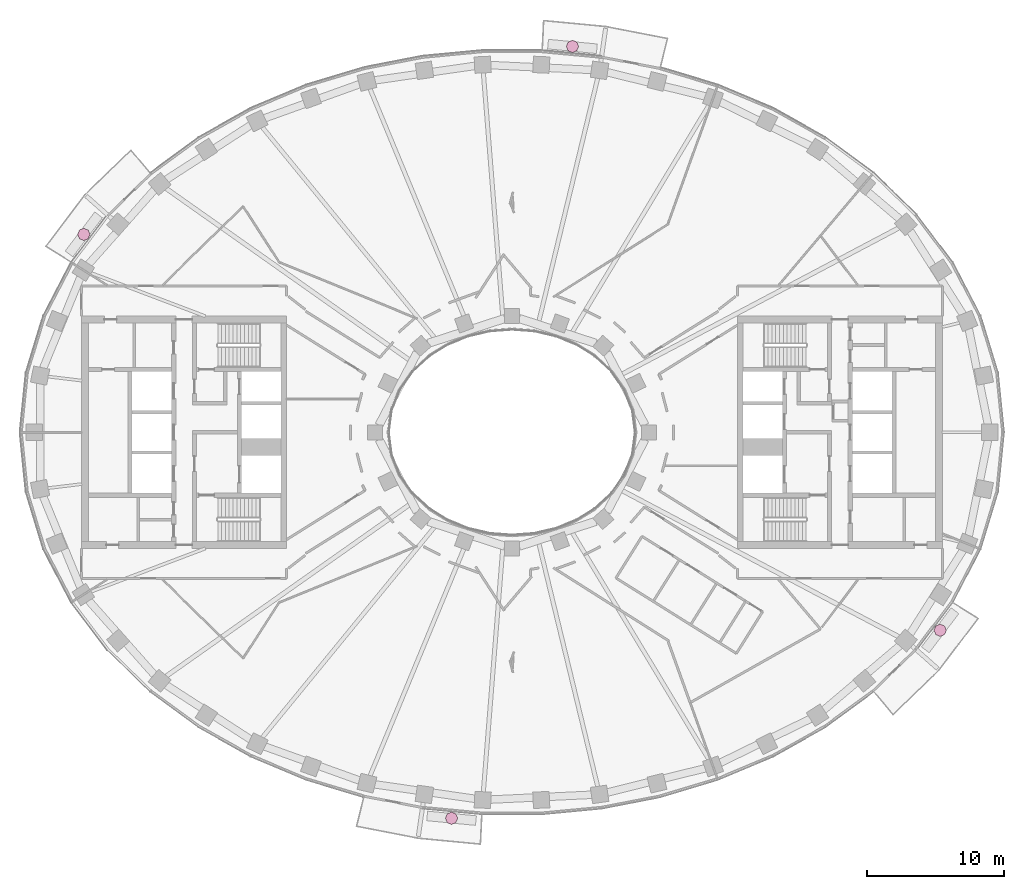
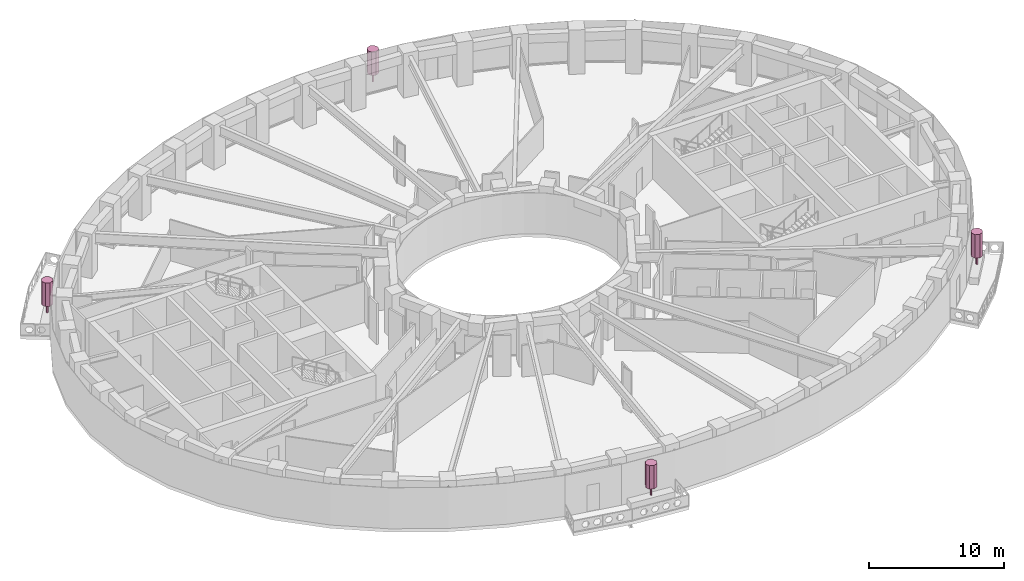
# One storey, part 16 of 16: 4 furnishings.
"""IFC4 building model written with IfcOpenShell, lengths in metres."""

import ifcopenshell
import ifcopenshell.guid

model = None  # the IFC model being written
_history = None  # IfcOwnerHistory: only IFC2X3 demands one
_inside = {}  # id of a spatial element -> (the spatial element, [elements in it])
_under = {}  # id of a project, library or spatial element -> (it, [spatial elements below it])
_declared = {}  # id of a project -> (the project, [libraries it declares])
_typed = {}  # id of a type object -> (the type object, [elements of that type])
_made_of = {}  # id of a material, layer set ... -> (it, [elements and type objects made of it])


def new_model(schema):
    """Start an empty IFC model of exactly this schema.

    Asked for "IFC4X3", IfcOpenShell would pick the latest addendum, in which some entities
    have other attributes; the version numbers below select the first issue.
    IFC2X3 requires an IfcOwnerHistory on every rooted entity: one is made here for all.
    """
    global model, _history
    if schema == "IFC4X3":
        model = ifcopenshell.file(schema_version=(4, 3, 0, 0))
    else:
        model = ifcopenshell.file(schema=schema)
    _inside.clear()
    _under.clear()
    _declared.clear()
    _typed.clear()
    _made_of.clear()
    _history = None
    if model.schema == "IFC2X3":
        org = make("IfcOrganization", Name="unknown")
        user = make(
            "IfcPersonAndOrganization",
            ThePerson=make("IfcPerson", FamilyName="unknown"),
            TheOrganization=org,
        )
        app = make(
            "IfcApplication",
            ApplicationDeveloper=org,
            Version="unknown",
            ApplicationFullName="unknown",
            ApplicationIdentifier="unknown",
        )
        _history = make(
            "IfcOwnerHistory",
            OwningUser=user,
            OwningApplication=app,
            ChangeAction="ADDED",
            CreationDate=0,
        )
    return model


def make(cls, **values):
    """One entity of the class cls with the attributes given. An attribute that is None is left unset."""
    return model.create_entity(
        cls, **{name: value for name, value in values.items() if value is not None}
    )


def rooted(cls, **values):
    """An entity with a GlobalId (a new one), such as an element, a storey or a relation."""
    return make(cls, GlobalId=ifcopenshell.guid.new(), OwnerHistory=_history, **values)


def si_unit(unit_type, name, prefix=None):
    """IfcSIUnit, for example si_unit("LENGTHUNIT", "METRE", prefix="MILLI")."""
    return make("IfcSIUnit", UnitType=unit_type, Prefix=prefix, Name=name)


def assignment(units):
    """IfcUnitAssignment: the units of a project."""
    return None if units is None else make("IfcUnitAssignment", Units=units)


def point(xyz):
    """IfcCartesianPoint."""
    return None if xyz is None else make("IfcCartesianPoint", Coordinates=xyz)


def direction(xyz):
    """IfcDirection."""
    return None if xyz is None else make("IfcDirection", DirectionRatios=xyz)


def frame(location, z_axis=None, x_axis=None):
    """IfcAxis2Placement3D, a coordinate frame: its origin and axes. An axis left out is left unset."""
    return make(
        "IfcAxis2Placement3D",
        Location=point(location),
        Axis=direction(z_axis),
        RefDirection=direction(x_axis),
    )


def frame_2d(location, x_axis=None):
    """IfcAxis2Placement2D, a coordinate frame in the plane: its origin and x axis."""
    return make(
        "IfcAxis2Placement2D", Location=point(location), RefDirection=direction(x_axis)
    )


def origin():
    """The frame at (0, 0, 0) with its axes left unset."""
    return frame((0.0, 0.0, 0.0))


def origin_2d():
    """The frame at (0, 0) in the plane with its x axis left unset."""
    return frame_2d((0.0, 0.0))


def place(relative_to, where):
    """IfcLocalPlacement: puts the frame where relative to a parent placement (None: the world)."""
    return make(
        "IfcLocalPlacement", PlacementRelTo=relative_to, RelativePlacement=where
    )


def context(
    kind, dimensions, precision=None, world=None, true_north=None, identifier=None
):
    """IfcGeometricRepresentationContext, for example the 3D "Model" context."""
    return make(
        "IfcGeometricRepresentationContext",
        ContextIdentifier=identifier,
        ContextType=kind,
        CoordinateSpaceDimension=dimensions,
        Precision=precision,
        WorldCoordinateSystem=world,
        TrueNorth=true_north,
    )


def subcontext(parent, identifier, kind, view, scale=None):
    """IfcGeometricRepresentationSubContext, for example "Body" below "Model"."""
    return make(
        "IfcGeometricRepresentationSubContext",
        ContextIdentifier=identifier,
        ContextType=kind,
        ParentContext=parent,
        TargetScale=scale,
        TargetView=view,
    )


def project(units=None, contexts=None):
    """IfcProject with its units and contexts."""
    return rooted(
        "IfcProject",
        Name="project",
        RepresentationContexts=contexts,
        UnitsInContext=assignment(units),
    )


def spatial(cls, under=None, at=None, **own):
    """A site, building, storey or space (cls), placed at a placement, below another one or the project."""
    s = rooted(cls, ObjectPlacement=at, **own)
    if under is not None:
        _under.setdefault(under.id(), (under, []))[1].append(s)
    return s


def polyline(points):
    """IfcPolyline through the points."""
    return make("IfcPolyline", Points=[point(p) for p in points])


def profile(cls, at=None, kind="AREA", **sizes):
    """A parametric profile (cls). Its sizes go by their IFC names, for example OverallWidth=200.0."""
    return make(cls, ProfileType=kind, Position=at, **sizes)


def rectangle(**sizes):
    """IfcRectangleProfileDef."""
    return profile("IfcRectangleProfileDef", **sizes)


def outline(outer, holes=None, kind="AREA"):
    """IfcArbitraryClosedProfileDef: a profile drawn as a closed curve; with holes, ...WithVoids."""
    if holes is None:
        return make("IfcArbitraryClosedProfileDef", ProfileType=kind, OuterCurve=outer)
    return make(
        "IfcArbitraryProfileDefWithVoids",
        ProfileType=kind,
        OuterCurve=outer,
        InnerCurves=holes,
    )


def extrude(swept, where, along, depth):
    """IfcExtrudedAreaSolid: the profile swept, set in the frame where, extruded along a direction by depth."""
    return make(
        "IfcExtrudedAreaSolid",
        SweptArea=swept,
        Position=where,
        ExtrudedDirection=direction(along),
        Depth=depth,
    )


def shape(context_of_items, identifier, shape_type, items):
    """IfcShapeRepresentation: the items that make up one representation, for example the "Body"."""
    return make(
        "IfcShapeRepresentation",
        ContextOfItems=context_of_items,
        RepresentationIdentifier=identifier,
        RepresentationType=shape_type,
        Items=items,
    )


def material(Name=None, Category=None):
    """IfcMaterial."""
    return make("IfcMaterial", Name=Name, Category=Category)


def made_of(thing, what):
    """Note that an element or type object is made of a material, layer set ...; save() writes the relation."""
    if what is not None:
        _made_of.setdefault(what.id(), (what, []))[1].append(thing)
    return thing


def type_object(cls, material=None, **own):
    """A type object (cls), such as IfcWallType, which elements share."""
    return made_of(rooted(cls, **own), material)


def element(
    cls,
    number,
    at=None,
    inside=None,
    cuts=None,
    type_object=None,
    material=None,
    context=None,
    identifier="Body",
    shape_type=None,
    held_by="IfcProductDefinitionShape",
    body=None,
    shapes=None,
    **own,
):
    """One element of the class cls, such as IfcWall. Its Tag is "e" and its number.

    at: its placement. inside: the storey or other place that contains it. cuts: it is an
    opening in that element (IfcRelVoidsElement). A single representation is given by context,
    identifier, shape_type and body (its items); several are given by shapes. held_by: the class
    of the entity that holds the representations. save() writes the other relations.
    """
    e = rooted(cls, Tag="e%d" % number, ObjectPlacement=at, **own)
    if body is not None:
        shapes = [shape(context, identifier, shape_type, body)]
    if shapes is not None:
        e.Representation = make(held_by, Representations=shapes)
    if inside is not None:
        _inside.setdefault(inside.id(), (inside, []))[1].append(e)
    if cuts is not None:
        rooted(
            "IfcRelVoidsElement", RelatingBuildingElement=cuts, RelatedOpeningElement=e
        )
    if type_object is not None:
        _typed.setdefault(type_object.id(), (type_object, []))[1].append(e)
    return made_of(e, material)


def aggregate(whole, parts):
    """IfcRelAggregates: a whole, such as a stair, and the parts it consists of."""
    return rooted("IfcRelAggregates", RelatingObject=whole, RelatedObjects=parts)


def save(model, path):
    """Write the relations noted so far, then the file.

    IfcRelAggregates (storeys below a building ...), IfcRelContainedInSpatialStructure (elements
    in a storey), IfcRelDefinesByType, IfcRelAssociatesMaterial and IfcRelDeclares: one each for
    every whole, place, type object, material and project.
    """
    for whole, parts in _under.values():
        aggregate(whole, parts)
    for where, things in _inside.values():
        rooted(
            "IfcRelContainedInSpatialStructure",
            RelatedElements=things,
            RelatingStructure=where,
        )
    for kind, things in _typed.values():
        rooted("IfcRelDefinesByType", RelatedObjects=things, RelatingType=kind)
    for what, things in _made_of.values():
        rooted("IfcRelAssociatesMaterial", RelatedObjects=things, RelatingMaterial=what)
    for by, libraries in _declared.values():
        rooted("IfcRelDeclares", RelatingContext=by, RelatedDefinitions=libraries)
    model.write(path)


model = new_model("IFC4")

# Units and contexts
model_context = context("Model", 3, precision=1e-05, world=origin(), true_north=direction((0.0, 1.0)))
body_context = subcontext(model_context, "Body", "Model", "MODEL_VIEW")
ifc_project = project(units=[si_unit("LENGTHUNIT", "METRE"), si_unit("AREAUNIT", "SQUARE_METRE"), si_unit("VOLUMEUNIT", "CUBIC_METRE"), si_unit("PLANEANGLEUNIT", "RADIAN"), si_unit("MASSUNIT", "GRAM", prefix="KILO")], contexts=[model_context])

# Site, building, storey
site_placement = place(None, origin())
site = spatial("IfcSite", under=ifc_project, at=site_placement, CompositionType="ELEMENT")
building_placement = place(site_placement, origin())
building = spatial("IfcBuilding", under=site, at=building_placement, Name="Noorbagh Ring Tower", CompositionType="ELEMENT")
storey_placement = place(building_placement, frame((0.0, 0.0, 166.0)))
storey = spatial("IfcBuildingStorey", under=building, at=storey_placement, Name="L38", CompositionType="ELEMENT", Elevation=166.0)

# Furnishings
ifc_material = material(Name="Planting foliage green")
furnishing_element_type = type_object("IfcFurnishingElementType", Name="ENV-TREE", material=ifc_material)
for number, where, z_axis, x_axis, name in (
    (1, (4.423828125, 28.2373046875, 0.60009765625), (0.0, 0.0, 1.0), (1.0, 0.0, 0.0), "Tree BN03"),
    (2, (-31.329833984375, 14.4833984375, 0.60009765625), (0.0, 0.0, 1.0), (1.0, 0.0, 0.0), "Tree BN06"),
    (3, (-4.423828125, -28.2373046875, 0.60009765625), (0.0, 0.0, 1.0), (1.0, 0.0, 0.0), "Tree BS03"),
    (4, (31.329833984375, -14.4833984375, 0.60009765625), (0.0, 0.0, 1.0), (1.0, 0.0, 0.0), "Tree BS06"),
):
    element("IfcFurnishingElement", number, at=place(storey_placement, frame(where, z_axis=z_axis, x_axis=x_axis)), inside=storey, type_object=furnishing_element_type, Name=name, context=body_context, shape_type="SweptSolid", body=[
        extrude(rectangle(XDim=0.1201171875, YDim=0.1201171875, at=origin_2d()), origin(), (0.0, 0.0, 1.0), 0.825927734375),
        extrude(outline(polyline([(0.449951171875, 0.0), (0.318115234375, 0.318115234375), (0.0, 0.449951171875), (-0.318115234375, 0.318115234375), (-0.449951171875, 0.0), (-0.318115234375, -0.318115234375), (0.0, -0.449951171875), (0.318115234375, -0.318115234375), (0.449951171875, 0.0)])), frame((0.0, 0.0, 0.825927734375)), (0.0, 0.0, 1.0), 2.1240234375),
    ])

save(model, "model.ifc")
